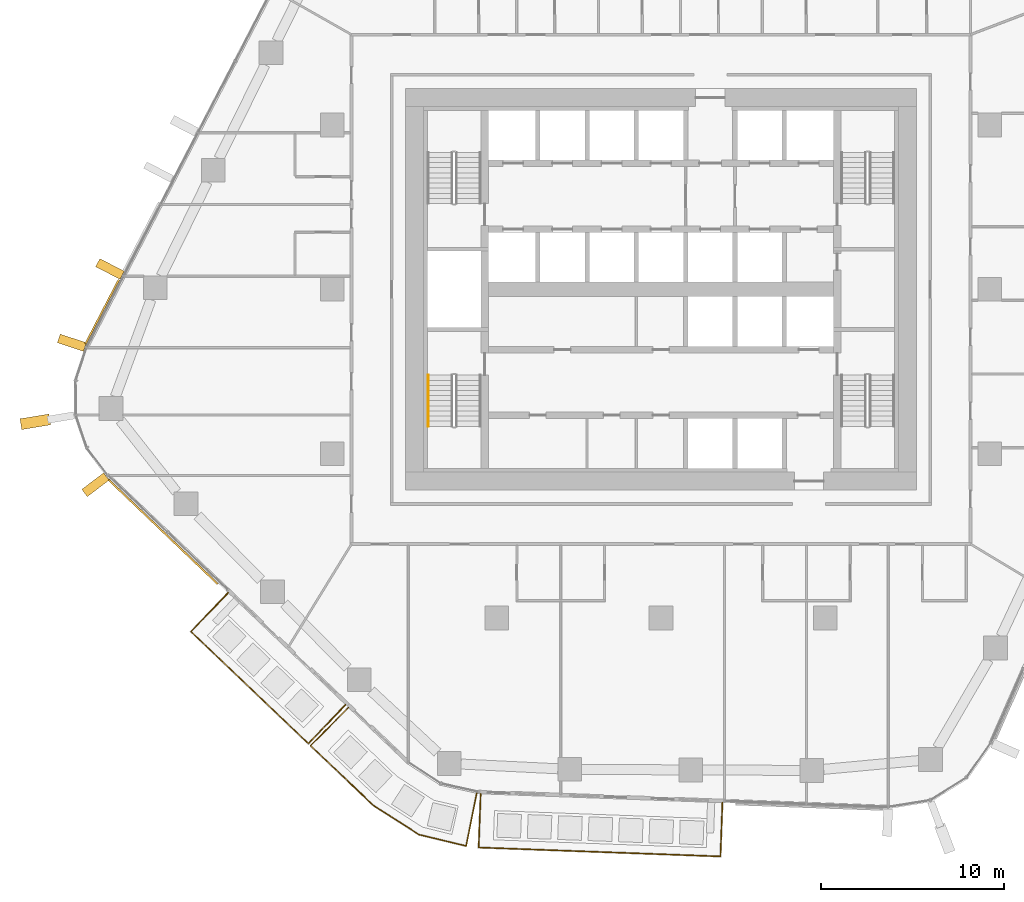
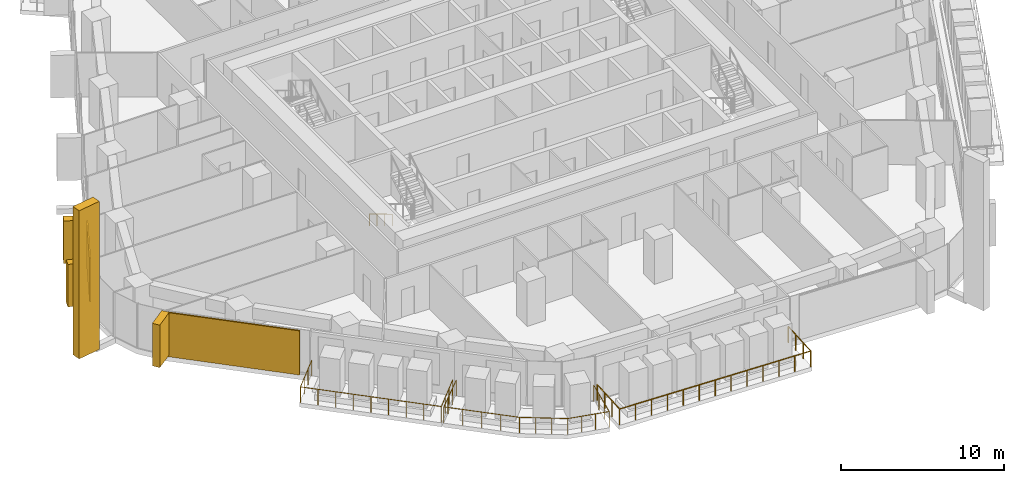
# One storey, part 19 of 24: 6 coverings, 4 railings, 3 elements without a shape of their own.
"""IFC4 building model written with IfcOpenShell, lengths in metres."""

from ifc_helpers import new_model, si_unit, direction, frame, origin, origin_2d, place, context, subcontext, project, spatial, rectangle, circle, extrude, material, layer, layer_set, material_profile, profile_set, type_object, element, aggregate, save


model = new_model("IFC4")

# Units and contexts
model_context = context("Model", 3, precision=1e-05, world=origin(), true_north=direction((0.0, 1.0)))
body_context = subcontext(model_context, "Body", "Model", "MODEL_VIEW")
ifc_project = project(units=[si_unit("LENGTHUNIT", "METRE"), si_unit("AREAUNIT", "SQUARE_METRE"), si_unit("VOLUMEUNIT", "CUBIC_METRE"), si_unit("PLANEANGLEUNIT", "RADIAN"), si_unit("MASSUNIT", "GRAM", prefix="KILO")], contexts=[model_context])

# Site, building, storey
site_placement = place(None, origin())
site = spatial("IfcSite", under=ifc_project, at=site_placement, CompositionType="ELEMENT")
building_placement = place(site_placement, origin())
building = spatial("IfcBuilding", under=site, at=building_placement, Name="Dongbaek Canopy Tower", CompositionType="ELEMENT")
storey_placement = place(building_placement, frame((0.0, 0.0, 106.300048828125)))
storey = spatial("IfcBuildingStorey", under=building, at=storey_placement, Name="L22", CompositionType="ELEMENT", Elevation=106.300048828125)

# Railings
ifc_material_1 = material(Name="Stainless steel", Category="steel")
railing_type_1 = type_object("IfcRailingType", Name="Balcony balustrade 1200", PredefinedType="BALUSTRADE", material=ifc_material_1)
railing_1_placement = place(storey_placement, frame((-23.70751953125, -16.618896484375, 0.0)))
element("IfcRailing", 1, at=railing_1_placement, inside=storey, type_object=railing_type_1, Name="Balcony guard L22 3", PredefinedType="BALUSTRADE", context=body_context, shape_type="SweptSolid", body=[
    extrude(circle(Radius=0.02392578125, at=origin_2d()), frame((0.0, 0.0, 1.17578125), z_axis=(-0.690473771685, -0.723357429363, 0.0), x_axis=(0.723357429363, -0.690473771685, 0.0)), (0.0, 0.0, 1.0), 2.93994140625),
    extrude(circle(Radius=0.02392578125, at=origin_2d()), frame((-2.030029296875, -2.126708984375, 1.17578125), z_axis=(0.723350552631, -0.690480975848, 0.0), x_axis=(0.690480975848, 0.723350552631, 0.0)), (0.0, 0.0, 1.0), 8.88330078125),
    extrude(circle(Radius=0.02392578125, at=origin_2d()), frame((4.395751953125, -8.260498046875, 1.17578125), z_axis=(0.690473771685, 0.723357429363, 0.0), x_axis=(-0.723357429363, 0.690473771685, 0.0)), (0.0, 0.0, 1.0), 2.93994140625),
    extrude(circle(Radius=0.02099609375, at=origin_2d()), origin(), (0.0, 0.0, 1.0), 1.15185546875),
    extrude(circle(Radius=0.02099609375, at=origin_2d()), frame((-0.6767578125, -0.708984375, 0.0)), (0.0, 0.0, 1.0), 1.15185546875),
    extrude(circle(Radius=0.02099609375, at=origin_2d()), frame((-1.353271484375, -1.417724609375, 0.0)), (0.0, 0.0, 1.0), 1.15185546875),
    extrude(circle(Radius=0.02099609375, at=origin_2d()), frame((-2.030029296875, -2.126708984375, 0.0)), (0.0, 0.0, 1.0), 1.15185546875),
    extrude(circle(Radius=0.02099609375, at=origin_2d()), frame((-1.226806640625, -2.8935546875, 0.0)), (0.0, 0.0, 1.0), 1.15185546875),
    extrude(circle(Radius=0.02099609375, at=origin_2d()), frame((-0.423583984375, -3.66015625, 0.0)), (0.0, 0.0, 1.0), 1.15185546875),
    extrude(circle(Radius=0.02099609375, at=origin_2d()), frame((0.379638671875, -4.4267578125, 0.0)), (0.0, 0.0, 1.0), 1.15185546875),
    extrude(circle(Radius=0.02099609375, at=origin_2d()), frame((1.182861328125, -5.193603515625, 0.0)), (0.0, 0.0, 1.0), 1.15185546875),
    extrude(circle(Radius=0.02099609375, at=origin_2d()), frame((1.986083984375, -5.96044921875, 0.0)), (0.0, 0.0, 1.0), 1.15185546875),
    extrude(circle(Radius=0.02099609375, at=origin_2d()), frame((2.789306640625, -6.72705078125, 0.0)), (0.0, 0.0, 1.0), 1.15185546875),
    extrude(circle(Radius=0.02099609375, at=origin_2d()), frame((3.592529296875, -7.49365234375, 0.0)), (0.0, 0.0, 1.0), 1.15185546875),
    extrude(circle(Radius=0.02099609375, at=origin_2d()), frame((4.395751953125, -8.260498046875, 0.0)), (0.0, 0.0, 1.0), 1.15185546875),
    extrude(circle(Radius=0.02099609375, at=origin_2d()), frame((5.072509765625, -7.551513671875, 0.0)), (0.0, 0.0, 1.0), 1.15185546875),
    extrude(circle(Radius=0.02099609375, at=origin_2d()), frame((5.7490234375, -6.8427734375, 0.0)), (0.0, 0.0, 1.0), 1.15185546875),
    extrude(circle(Radius=0.02099609375, at=origin_2d()), frame((6.42578125, -6.1337890625, 0.0)), (0.0, 0.0, 1.0), 1.15185546875),
])
railing_2_placement = place(storey_placement, frame((-17.122802734375, -22.904541015625, 0.0)))
element("IfcRailing", 2, at=railing_2_placement, inside=storey, type_object=railing_type_1, Name="Balcony guard L22 8", PredefinedType="BALUSTRADE", context=body_context, shape_type="SweptSolid", body=[
    extrude(circle(Radius=0.02392578125, at=origin_2d()), frame((0.0, 0.0, 1.17578125), z_axis=(-0.705069681082, -0.709138029454, 0.0), x_axis=(0.709138029454, -0.705069681082, 0.0)), (0.0, 0.0, 1.0), 2.9404296875),
    extrude(circle(Radius=0.02392578125, at=origin_2d()), frame((-2.0732421875, -2.085205078125, 1.17578125), z_axis=(0.725076137079, -0.6886687124, 0.0), x_axis=(0.6886687124, 0.725076137079, 0.0)), (0.0, 0.0, 1.0), 4.767822265625),
    extrude(circle(Radius=0.02392578125, at=origin_2d()), frame((1.3837890625, -5.36865234375, 1.17578125), z_axis=(0.842627660144, -0.538496635422, 0.0), x_axis=(0.538496635422, 0.842627660144, 0.0)), (0.0, 0.0, 1.0), 2.96044921875),
    extrude(circle(Radius=0.02392578125, at=origin_2d()), frame((3.87841796875, -6.962890625, 1.17578125), z_axis=(0.972186668453, -0.234207347627, 0.0), x_axis=(0.234207347627, 0.972186668453, 0.0)), (0.0, 0.0, 1.0), 2.64453125),
    extrude(circle(Radius=0.02392578125, at=origin_2d()), frame((6.449462890625, -7.582275390625, 1.17578125), z_axis=(0.196515267577, 0.980500764716, 0.0), x_axis=(-0.980500764716, 0.196515267577, 0.0)), (0.0, 0.0, 1.0), 2.940673828125),
    extrude(circle(Radius=0.02099609375, at=origin_2d()), origin(), (0.0, 0.0, 1.0), 1.15185546875),
    extrude(circle(Radius=0.02099609375, at=origin_2d()), frame((-0.691162109375, -0.695068359375, 0.0)), (0.0, 0.0, 1.0), 1.15185546875),
    extrude(circle(Radius=0.02099609375, at=origin_2d()), frame((-1.382080078125, -1.39013671875, 0.0)), (0.0, 0.0, 1.0), 1.15185546875),
    extrude(circle(Radius=0.02099609375, at=origin_2d()), frame((-2.0732421875, -2.085205078125, 0.0)), (0.0, 0.0, 1.0), 1.15185546875),
    extrude(circle(Radius=0.02099609375, at=origin_2d()), frame((-1.208984375, -2.906005859375, 0.0)), (0.0, 0.0, 1.0), 1.15185546875),
    extrude(circle(Radius=0.02099609375, at=origin_2d()), frame((-0.3447265625, -3.72705078125, 0.0)), (0.0, 0.0, 1.0), 1.15185546875),
    extrude(circle(Radius=0.02099609375, at=origin_2d()), frame((0.51953125, -4.5478515625, 0.0)), (0.0, 0.0, 1.0), 1.15185546875),
    extrude(circle(Radius=0.02099609375, at=origin_2d()), frame((1.3837890625, -5.36865234375, 0.0)), (0.0, 0.0, 1.0), 1.15185546875),
    extrude(circle(Radius=0.02099609375, at=origin_2d()), frame((2.21533203125, -5.900146484375, 0.0)), (0.0, 0.0, 1.0), 1.15185546875),
    extrude(circle(Radius=0.02099609375, at=origin_2d()), frame((3.046875, -6.431396484375, 0.0)), (0.0, 0.0, 1.0), 1.15185546875),
    extrude(circle(Radius=0.02099609375, at=origin_2d()), frame((3.87841796875, -6.962890625, 0.0)), (0.0, 0.0, 1.0), 1.15185546875),
    extrude(circle(Radius=0.02099609375, at=origin_2d()), frame((4.7353515625, -7.16943359375, 0.0)), (0.0, 0.0, 1.0), 1.15185546875),
    extrude(circle(Radius=0.02099609375, at=origin_2d()), frame((5.592529296875, -7.375732421875, 0.0)), (0.0, 0.0, 1.0), 1.15185546875),
    extrude(circle(Radius=0.02099609375, at=origin_2d()), frame((6.449462890625, -7.582275390625, 0.0)), (0.0, 0.0, 1.0), 1.15185546875),
    extrude(circle(Radius=0.02099609375, at=origin_2d()), frame((6.64208984375, -6.62109375, 0.0)), (0.0, 0.0, 1.0), 1.15185546875),
    extrude(circle(Radius=0.02099609375, at=origin_2d()), frame((6.834716796875, -5.66015625, 0.0)), (0.0, 0.0, 1.0), 1.15185546875),
    extrude(circle(Radius=0.02099609375, at=origin_2d()), frame((7.02734375, -4.698974609375, 0.0)), (0.0, 0.0, 1.0), 1.15185546875),
])
railing_3_placement = place(storey_placement, frame((-9.878173828125, -27.63134765625, 0.0)))
element("IfcRailing", 3, at=railing_3_placement, inside=storey, type_object=railing_type_1, Name="Balcony guard L22 4", PredefinedType="BALUSTRADE", context=body_context, shape_type="SweptSolid", body=[
    extrude(circle(Radius=0.02392578125, at=origin_2d()), frame((0.0, 0.0, 1.17578125), z_axis=(-0.036870376026, -0.999320056524, 0.0), x_axis=(0.999320056524, -0.036870376026, 0.0)), (0.0, 0.0, 1.0), 2.93994140625),
    extrude(circle(Radius=0.02392578125, at=origin_2d()), frame((-0.1083984375, -2.93798828125, 1.17578125), z_axis=(0.999320023689, -0.036871265971, 0.0), x_axis=(0.036871265971, 0.999320023689, 0.0)), (0.0, 0.0, 1.0), 13.24951171875),
    extrude(circle(Radius=0.02392578125, at=origin_2d()), frame((13.132080078125, -3.426513671875, 1.17578125), z_axis=(0.036870376026, 0.999320056524, 0.0), x_axis=(-0.999320056524, 0.036870376026, 0.0)), (0.0, 0.0, 1.0), 2.93994140625),
    extrude(circle(Radius=0.02099609375, at=origin_2d()), origin(), (0.0, 0.0, 1.0), 1.15185546875),
    extrude(circle(Radius=0.02099609375, at=origin_2d()), frame((-0.0361328125, -0.979248046875, 0.0)), (0.0, 0.0, 1.0), 1.15185546875),
    extrude(circle(Radius=0.02099609375, at=origin_2d()), frame((-0.072265625, -1.958740234375, 0.0)), (0.0, 0.0, 1.0), 1.15185546875),
    extrude(circle(Radius=0.02099609375, at=origin_2d()), frame((-0.1083984375, -2.93798828125, 0.0)), (0.0, 0.0, 1.0), 1.15185546875),
    extrude(circle(Radius=0.02099609375, at=origin_2d()), frame((0.994873046875, -2.978759765625, 0.0)), (0.0, 0.0, 1.0), 1.15185546875),
    extrude(circle(Radius=0.02099609375, at=origin_2d()), frame((2.098388671875, -3.01953125, 0.0)), (0.0, 0.0, 1.0), 1.15185546875),
    extrude(circle(Radius=0.02099609375, at=origin_2d()), frame((3.20166015625, -3.06005859375, 0.0)), (0.0, 0.0, 1.0), 1.15185546875),
    extrude(circle(Radius=0.02099609375, at=origin_2d()), frame((4.30517578125, -3.100830078125, 0.0)), (0.0, 0.0, 1.0), 1.15185546875),
    extrude(circle(Radius=0.02099609375, at=origin_2d()), frame((5.408447265625, -3.1416015625, 0.0)), (0.0, 0.0, 1.0), 1.15185546875),
    extrude(circle(Radius=0.02099609375, at=origin_2d()), frame((6.51171875, -3.18212890625, 0.0)), (0.0, 0.0, 1.0), 1.15185546875),
    extrude(circle(Radius=0.02099609375, at=origin_2d()), frame((7.615234375, -3.222900390625, 0.0)), (0.0, 0.0, 1.0), 1.15185546875),
    extrude(circle(Radius=0.02099609375, at=origin_2d()), frame((8.718505859375, -3.263671875, 0.0)), (0.0, 0.0, 1.0), 1.15185546875),
    extrude(circle(Radius=0.02099609375, at=origin_2d()), frame((9.822021484375, -3.304443359375, 0.0)), (0.0, 0.0, 1.0), 1.15185546875),
    extrude(circle(Radius=0.02099609375, at=origin_2d()), frame((10.92529296875, -3.34521484375, 0.0)), (0.0, 0.0, 1.0), 1.15185546875),
    extrude(circle(Radius=0.02099609375, at=origin_2d()), frame((12.02880859375, -3.3857421875, 0.0)), (0.0, 0.0, 1.0), 1.15185546875),
    extrude(circle(Radius=0.02099609375, at=origin_2d()), frame((13.132080078125, -3.426513671875, 0.0)), (0.0, 0.0, 1.0), 1.15185546875),
    extrude(circle(Radius=0.02099609375, at=origin_2d()), frame((13.168212890625, -2.447265625, 0.0)), (0.0, 0.0, 1.0), 1.15185546875),
    extrude(circle(Radius=0.02099609375, at=origin_2d()), frame((13.204345703125, -1.4677734375, 0.0)), (0.0, 0.0, 1.0), 1.15185546875),
    extrude(circle(Radius=0.02099609375, at=origin_2d()), frame((13.240478515625, -0.488525390625, 0.0)), (0.0, 0.0, 1.0), 1.15185546875),
])

# Curtain wall, covering
ifc_material_2 = material(Name="Aluminium 6063-T6 pale anodised", Category="aluminium")
ifc_layer_1 = layer(ifc_material_2, 0.199951171875)
ifc_layer_set_1 = layer_set([ifc_layer_1], Name="CW-1 unitised tower curtain wall")
curtain_wall_type = type_object("IfcCurtainWallType", Name="CW-1 unitised tower curtain wall", PredefinedType="NOTDEFINED", material=ifc_layer_set_1)
curtain_wall_1_placement = place(storey_placement, origin())
curtain_wall_1 = element("IfcCurtainWall", 4, at=curtain_wall_1_placement, inside=storey, type_object=curtain_wall_type, Name="CW-1 curtain wall K3.1", PredefinedType="NOTDEFINED")
ifc_material_3 = material(Name="Aluminium 6063-T6 pale metal fin", Category="aluminium")
ifc_material_profile_1 = material_profile(ifc_material_3, rectangle(XDim=1.60009765625, YDim=0.60009765625, at=origin_2d()), Name="Corner fin CN1 600 x 1600 pale metal")
ifc_profile_set_1 = profile_set([ifc_material_profile_1], Name="Aluminium 6063-T6 pale metal fin")
covering_type_1 = type_object("IfcCoveringType", Name="Corner fin CN1 600 x 1600 pale metal", PredefinedType="CLADDING", material=ifc_profile_set_1)
covering_1_placement = place(storey_placement, frame((-34.268798828125, -7.25439453125, -0.199951171875), z_axis=(0.0, 0.0, 1.0), x_axis=(-0.986446731752, -0.164081825364, 0.0)))
covering_1 = element("IfcCovering", 5, at=covering_1_placement, type_object=covering_type_1, Name="Corner fin L22 L24 K3", PredefinedType="CLADDING", context=body_context, shape_type="SweptSolid", body=[
    extrude(rectangle(XDim=1.60009765625, YDim=0.60009765625, at=origin_2d()), origin(), (0.0, 0.0, 1.0), 11.079833984375),
])

curtain_wall_2_placement = place(storey_placement, origin())
curtain_wall_2 = element("IfcCurtainWall", 6, at=curtain_wall_2_placement, inside=storey, type_object=curtain_wall_type, Name="CW-1 curtain wall F2.1", PredefinedType="NOTDEFINED")
ifc_material_4 = material(Name="Perforated aluminium 6063-T6 pale metal screen", Category="aluminium")
ifc_layer_2 = layer(ifc_material_4, 0.10009765625)
ifc_layer_set_2 = layer_set([ifc_layer_2], Name="Facet screen FS1 100 pale metal")
covering_type_2 = type_object("IfcCoveringType", Name="Facet screen FS1 100 pale metal", PredefinedType="CLADDING", material=ifc_layer_set_2)
covering_2_placement = place(storey_placement, frame((-30.60595703125, -1.2265625, 0.0), z_axis=(0.0, 0.0, 1.0), x_axis=(-0.460879893376, -0.887462519706, 0.0)))
covering_2 = element("IfcCovering", 7, at=covering_2_placement, type_object=covering_type_2, Name="Facet screen L22 F2", PredefinedType="CLADDING", context=body_context, shape_type="SweptSolid", body=[
    extrude(rectangle(XDim=3.96728515625, YDim=0.10009765625, at=origin_2d()), origin(), (0.0, 0.0, 1.0), 3.300048828125),
])

curtain_wall_3_placement = place(storey_placement, origin())
curtain_wall_3 = element("IfcCurtainWall", 8, at=curtain_wall_3_placement, inside=storey, type_object=curtain_wall_type, Name="CW-1 curtain wall F3.1", PredefinedType="NOTDEFINED")
covering_3_placement = place(storey_placement, frame((-27.28369140625, -13.268798828125, 0.0), z_axis=(0.0, 0.0, 1.0), x_axis=(0.723349279316, -0.690482309776, 0.0)))
covering_3 = element("IfcCovering", 9, at=covering_3_placement, type_object=covering_type_2, Name="Facet screen L22 F3", PredefinedType="CLADDING", context=body_context, shape_type="SweptSolid", body=[
    extrude(rectangle(XDim=8.30322265625, YDim=0.10009765625, at=origin_2d()), origin(), (0.0, 0.0, 1.0), 3.300048828125),
])
aggregate(curtain_wall_3, [covering_3])

# Covering
ifc_material_5 = material(Name="Aluminium 6063-T6 pale metal fin", Category="aluminium")
ifc_material_profile_2 = material_profile(ifc_material_5, rectangle(XDim=1.5, YDim=0.5, at=origin_2d()), Name="Fin FN1 500 x 1500 pale metal")
ifc_profile_set_2 = profile_set([ifc_material_profile_2], Name="Aluminium 6063-T6 pale metal fin")
covering_type_3 = type_object("IfcCoveringType", Name="Fin FN1 500 x 1500 pale metal", PredefinedType="CLADDING", material=ifc_profile_set_2)
covering_4_placement = place(storey_placement, frame((-30.182861328125, 1.11572265625, 0.119873046875), z_axis=(0.0, 0.0, 1.0), x_axis=(-0.887462609411, 0.460879720641, 0.0)))
covering_4 = element("IfcCovering", 10, at=covering_4_placement, type_object=covering_type_3, Name="Fin F2.1.7", PredefinedType="CLADDING", context=body_context, shape_type="SweptSolid", body=[
    extrude(rectangle(XDim=1.5, YDim=0.5, at=origin_2d()), origin(), (0.0, 0.0, 1.0), 3.18017578125),
])

aggregate(curtain_wall_2, [covering_4, covering_2])

covering_5_placement = place(storey_placement, frame((-32.268798828125, -2.925048828125, 0.119873046875), z_axis=(0.0, 0.0, 1.0), x_axis=(-0.949852370593, 0.31269869536, 0.0)))
covering_5 = element("IfcCovering", 11, at=covering_5_placement, type_object=covering_type_3, Name="Fin K3.1.1", PredefinedType="CLADDING", context=body_context, shape_type="SweptSolid", body=[
    extrude(rectangle(XDim=1.5, YDim=0.5, at=origin_2d()), origin(), (0.0, 0.0, 1.0), 3.18017578125),
])

covering_6_placement = place(storey_placement, frame((-30.97509765625, -10.703369140625, 0.119873046875), z_axis=(0.0, 0.0, 1.0), x_axis=(-0.797481377097, -0.603343561483, 0.0)))
covering_6 = element("IfcCovering", 12, at=covering_6_placement, type_object=covering_type_3, Name="Fin K3.1.5", PredefinedType="CLADDING", context=body_context, shape_type="SweptSolid", body=[
    extrude(rectangle(XDim=1.5, YDim=0.5, at=origin_2d()), origin(), (0.0, 0.0, 1.0), 3.18017578125),
])

aggregate(curtain_wall_1, [covering_5, covering_6, covering_1])

# Railing
ifc_material_6 = material(Name="Stainless steel tube", Category="steel")
railing_type_2 = type_object("IfcRailingType", Name="Stair handrail 900", PredefinedType="HANDRAIL", material=ifc_material_6)
railing_4_placement = place(storey_placement, frame((-12.75, -4.699951171875, 0.168212890625)))
element("IfcRailing", 13, at=railing_4_placement, inside=storey, type_object=railing_type_2, Name="L22 ST-D stair handrail 1", PredefinedType="HANDRAIL", context=body_context, shape_type="SweptSolid", body=[
    extrude(circle(Radius=0.02392578125, at=origin_2d()), frame((0.0, 0.0, 0.8759765625), z_axis=(0.0, -0.857275202839, 0.514858452973), x_axis=(1.0, 0.0, 0.0)), (0.0, 0.0, 1.0), 3.26611328125),
    extrude(circle(Radius=0.02099609375, at=origin_2d()), origin(), (0.0, 0.0, 1.0), 0.851806640625),
    extrude(circle(Radius=0.02099609375, at=origin_2d()), frame((0.0, -0.933349609375, 0.560546875)), (0.0, 0.0, 1.0), 0.851806640625),
    extrude(circle(Radius=0.02099609375, at=origin_2d()), frame((0.0, -1.86669921875, 1.12109375)), (0.0, 0.0, 1.0), 0.851806640625),
    extrude(circle(Radius=0.02099609375, at=origin_2d()), frame((0.0, -2.800048828125, 1.681640625)), (0.0, 0.0, 1.0), 0.851806640625),
])

save(model, "model.ifc")
